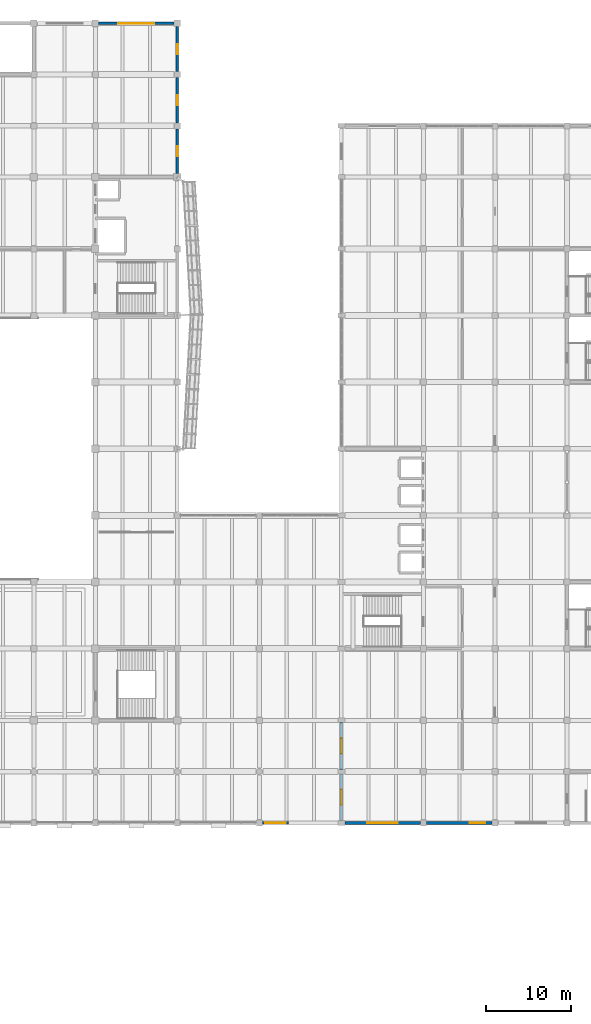
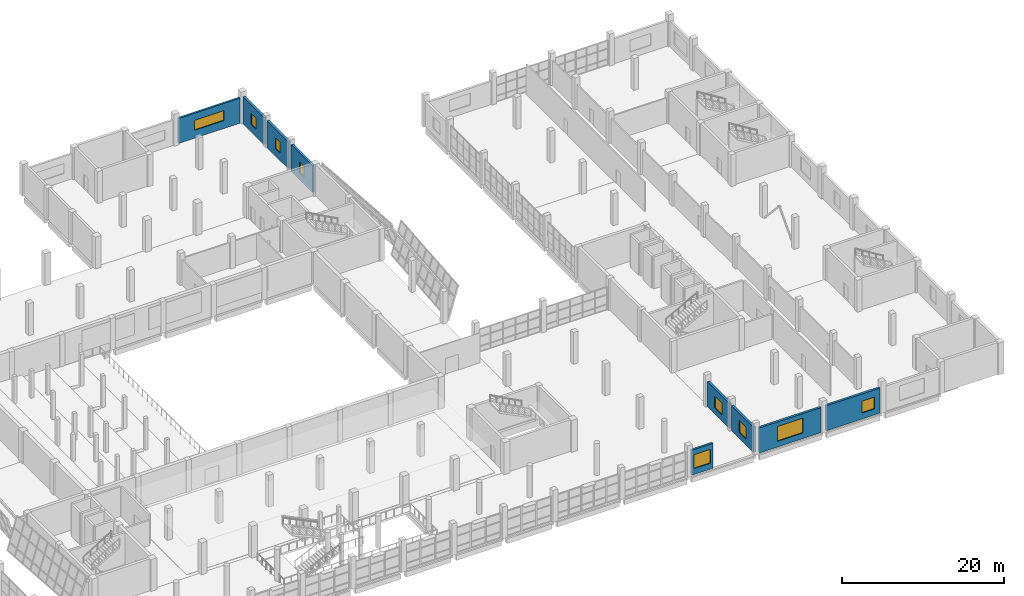
# One storey, part 83 of 91: 9 walls, 9 windows, 9 openings.
"""IFC4 building model written with IfcOpenShell, lengths in metres."""

from ifc_helpers import new_model, si_unit, direction, frame, frame_2d, origin, place, context, subcontext, project, spatial, rectangle, extrude, material, layer, layer_set, type_object, element, fill, save


model = new_model("IFC4")

# Units and contexts
model_context = context("Model", 3, precision=1e-05, world=origin(), true_north=direction((0.0, 1.0)))
body_context = subcontext(model_context, "Body", "Model", "MODEL_VIEW")
ifc_project = project(units=[si_unit("LENGTHUNIT", "METRE"), si_unit("AREAUNIT", "SQUARE_METRE"), si_unit("VOLUMEUNIT", "CUBIC_METRE"), si_unit("PLANEANGLEUNIT", "RADIAN"), si_unit("MASSUNIT", "GRAM", prefix="KILO")], contexts=[model_context])

# Site, building, storey
site_placement = place(None, origin())
site = spatial("IfcSite", under=ifc_project, at=site_placement, CompositionType="ELEMENT")
building_placement = place(site_placement, origin())
building = spatial("IfcBuilding", under=site, at=building_placement, Name="Pellamere Symphony Hall", CompositionType="ELEMENT")
storey_placement = place(building_placement, frame((0.0, 0.0, 5.39990234375)))
storey = spatial("IfcBuildingStorey", under=building, at=storey_placement, Name="L01", CompositionType="ELEMENT", Elevation=5.39990234375)

# Wall, opening, window
ifc_material_1 = material(Name="Precast concrete 40 MPa", Category="concrete")
ifc_layer_1 = layer(ifc_material_1, 0.320068359375, Name="Precast concrete 40 MPa")
ifc_layer_set_1 = layer_set([ifc_layer_1], Name="Precast concrete 40 MPa")
wall_type_1 = type_object("IfcWallType", Name="Exterior Wall EW-02 320mm", PredefinedType="SOLIDWALL", material=ifc_layer_set_1)
wall_1_placement = place(storey_placement, frame((118.800048828125, 94.02490234375, 0.0), z_axis=(0.0, 0.0, 1.0), x_axis=(0.0, 1.0, 0.0)))
wall_1 = element("IfcWall", 1, at=wall_1_placement, inside=storey, type_object=wall_type_1, Name="Exterior Wall EW-02-032 (L01)", PredefinedType="SOLIDWALL", context=body_context, shape_type="SweptSolid", body=[
    extrude(rectangle(XDim=5.22509765625, YDim=0.320068359375, at=frame_2d((2.612548828125, 0.0))), origin(), (0.0, 0.0, 1.0), 4.065673828125),
])
opening_1_placement = place(wall_1_placement, frame((2.012451171875, 0.0, 1.10009765625)))
opening_1 = element("IfcOpeningElement", 2, at=opening_1_placement, cuts=wall_1, Name="Opening W026", PredefinedType="OPENING", context=body_context, shape_type="SweptSolid", body=[
    extrude(rectangle(XDim=1.199951171875, YDim=1.64990234375, at=frame_2d((0.60009765625, 0.824951171875))), frame((0.0, 0.169921875, 0.0), z_axis=(0.0, -1.0, 0.0), x_axis=(1.0, 0.0, 0.0)), (0.0, 0.0, 1.0), 0.340087890625),
])
ifc_material_2 = material(Name="Thermally Broken Aluminium Triple-Glazed Acoustic Window", Category="aluminium")
window_type_1 = type_object("IfcWindowType", Name="Window WN-07 1200x1650", PartitioningType="SINGLE_PANEL", PredefinedType="WINDOW", material=ifc_material_2)
window_1_placement = place(opening_1_placement, origin())
window_1 = element("IfcWindow", 3, at=window_1_placement, inside=storey, type_object=window_type_1, Name="Exterior Window W026 (L01)", OverallHeight=1.64990234375, OverallWidth=1.199951171875, PartitioningType="SINGLE_PANEL", PredefinedType="WINDOW", context=body_context, shape_type="SweptSolid", body=[
    extrude(rectangle(XDim=1.199951171875, YDim=1.64990234375, at=frame_2d((0.60009765625, 0.824951171875))), frame((0.0, 0.030029296875, 0.0), z_axis=(0.0, -1.0, 0.0), x_axis=(1.0, 0.0, 0.0)), (0.0, 0.0, 1.0), 0.06005859375),
])
fill(opening_1, window_1)

wall_2_placement = place(storey_placement, frame((118.800048828125, 99.949951171875, 0.0), z_axis=(0.0, 0.0, 1.0), x_axis=(0.0, 1.0, 0.0)))
wall_2 = element("IfcWall", 4, at=wall_2_placement, inside=storey, type_object=wall_type_1, Name="Exterior Wall EW-02-034 (L01)", PredefinedType="SOLIDWALL", context=body_context, shape_type="SweptSolid", body=[
    extrude(rectangle(XDim=5.300048828125, YDim=0.320068359375, at=frame_2d((2.64990234375, 0.0))), origin(), (0.0, 0.0, 1.0), 4.065673828125),
])
opening_2_placement = place(wall_2_placement, frame((2.050048828125, 0.0, 1.10009765625)))
opening_2 = element("IfcOpeningElement", 5, at=opening_2_placement, cuts=wall_2, Name="Opening W028", PredefinedType="OPENING", context=body_context, shape_type="SweptSolid", body=[
    extrude(rectangle(XDim=1.199951171875, YDim=1.64990234375, at=frame_2d((0.60009765625, 0.824951171875))), frame((0.0, 0.169921875, 0.0), z_axis=(0.0, -1.0, 0.0), x_axis=(1.0, 0.0, 0.0)), (0.0, 0.0, 1.0), 0.340087890625),
])
window_2_placement = place(opening_2_placement, origin())
window_2 = element("IfcWindow", 6, at=window_2_placement, inside=storey, type_object=window_type_1, Name="Exterior Window W028 (L01)", OverallHeight=1.64990234375, OverallWidth=1.199951171875, PartitioningType="SINGLE_PANEL", PredefinedType="WINDOW", context=body_context, shape_type="SweptSolid", body=[
    extrude(rectangle(XDim=1.199951171875, YDim=1.64990234375, at=frame_2d((0.60009765625, 0.824951171875))), frame((0.0, 0.030029296875, 0.0), z_axis=(0.0, -1.0, 0.0), x_axis=(1.0, 0.0, 0.0)), (0.0, 0.0, 1.0), 0.06005859375),
])
fill(opening_2, window_2)

wall_3_placement = place(storey_placement, frame((118.800048828125, 105.949951171875, 0.0), z_axis=(0.0, 0.0, 1.0), x_axis=(0.0, 1.0, 0.0)))
wall_3 = element("IfcWall", 7, at=wall_3_placement, inside=storey, type_object=wall_type_1, Name="Exterior Wall EW-02-035 (L01)", PredefinedType="SOLIDWALL", context=body_context, shape_type="SweptSolid", body=[
    extrude(rectangle(XDim=5.260009765625, YDim=0.320068359375, at=frame_2d((2.6298828125, 0.0))), origin(), (0.0, 0.0, 1.0), 4.065673828125),
])
opening_3_placement = place(wall_3_placement, frame((2.030029296875, 0.0, 1.10009765625)))
opening_3 = element("IfcOpeningElement", 8, at=opening_3_placement, cuts=wall_3, Name="Opening W029", PredefinedType="OPENING", context=body_context, shape_type="SweptSolid", body=[
    extrude(rectangle(XDim=1.199951171875, YDim=1.64990234375, at=frame_2d((0.60009765625, 0.824951171875))), frame((0.0, 0.169921875, 0.0), z_axis=(0.0, -1.0, 0.0), x_axis=(1.0, 0.0, 0.0)), (0.0, 0.0, 1.0), 0.340087890625),
])
window_3_placement = place(opening_3_placement, origin())
window_3 = element("IfcWindow", 9, at=window_3_placement, inside=storey, type_object=window_type_1, Name="Exterior Window W029 (L01)", OverallHeight=1.64990234375, OverallWidth=1.199951171875, PartitioningType="SINGLE_PANEL", PredefinedType="WINDOW", context=body_context, shape_type="SweptSolid", body=[
    extrude(rectangle(XDim=1.199951171875, YDim=1.64990234375, at=frame_2d((0.60009765625, 0.824951171875))), frame((0.0, 0.030029296875, 0.0), z_axis=(0.0, -1.0, 0.0), x_axis=(1.0, 0.0, 0.0)), (0.0, 0.0, 1.0), 0.06005859375),
])
fill(opening_3, window_3)

wall_4_placement = place(storey_placement, frame((138.39990234375, 18.0, 0.0), z_axis=(0.0, 0.0, 1.0), x_axis=(1.0, 0.0, 0.0)))
wall_4 = element("IfcWall", 10, at=wall_4_placement, inside=storey, type_object=wall_type_1, Name="Exterior Wall EW-02-082 (L01)", PredefinedType="SOLIDWALL", context=body_context, shape_type="SweptSolid", body=[
    extrude(rectangle(XDim=8.85009765625, YDim=0.320068359375, at=frame_2d((4.425048828125, 0.0))), origin(), (0.0, 0.0, 1.0), 3.780029296875),
])
opening_4_placement = place(wall_4_placement, frame((2.625, 0.0, 0.85009765625)))
opening_4 = element("IfcOpeningElement", 11, at=opening_4_placement, cuts=wall_4, Name="Opening W047", PredefinedType="OPENING", context=body_context, shape_type="SweptSolid", body=[
    extrude(rectangle(XDim=3.60009765625, YDim=2.25, at=frame_2d((1.800048828125, 1.125))), frame((0.0, 0.169921875, 0.0), z_axis=(0.0, -1.0, 0.0), x_axis=(1.0, 0.0, 0.0)), (0.0, 0.0, 1.0), 0.340087890625),
])
window_type_2 = type_object("IfcWindowType", Name="Window WN-05 3600x2250", PartitioningType="TRIPLE_PANEL_VERTICAL", PredefinedType="WINDOW", material=ifc_material_2)
window_4_placement = place(opening_4_placement, origin())
window_4 = element("IfcWindow", 12, at=window_4_placement, inside=storey, type_object=window_type_2, Name="Exterior Window W047 (L01)", OverallHeight=2.25, OverallWidth=3.60009765625, PartitioningType="SINGLE_PANEL", PredefinedType="WINDOW", context=body_context, shape_type="SweptSolid", body=[
    extrude(rectangle(XDim=3.60009765625, YDim=2.25, at=frame_2d((1.800048828125, 1.125))), frame((0.0, 0.030029296875, 0.0), z_axis=(0.0, -1.0, 0.0), x_axis=(1.0, 0.0, 0.0)), (0.0, 0.0, 1.0), 0.06005859375),
])
fill(opening_4, window_4)

wall_5_placement = place(storey_placement, frame((147.949951171875, 18.0, 0.0), z_axis=(0.0, 0.0, 1.0), x_axis=(1.0, 0.0, 0.0)))
wall_5 = element("IfcWall", 13, at=wall_5_placement, inside=storey, type_object=wall_type_1, Name="Exterior Wall EW-02-083 (L01)", PredefinedType="SOLIDWALL", context=body_context, shape_type="SweptSolid", body=[
    extrude(rectangle(XDim=7.699951171875, YDim=0.320068359375, at=frame_2d((3.85009765625, 0.0))), origin(), (0.0, 0.0, 1.0), 3.780029296875),
])
opening_5_placement = place(wall_5_placement, frame((5.10595703125, 0.0, 0.89990234375)))
opening_5 = element("IfcOpeningElement", 14, at=opening_5_placement, cuts=wall_5, Name="Opening W048", PredefinedType="OPENING", context=body_context, shape_type="SweptSolid", body=[
    extrude(rectangle(XDim=1.800048828125, YDim=1.800048828125, at=frame_2d((0.89990234375, 0.89990234375))), frame((0.0, 0.169921875, 0.0), z_axis=(0.0, -1.0, 0.0), x_axis=(1.0, 0.0, 0.0)), (0.0, 0.0, 1.0), 0.340087890625),
])
window_type_3 = type_object("IfcWindowType", Name="Window WN-03 1800x1800", PartitioningType="DOUBLE_PANEL_VERTICAL", PredefinedType="WINDOW", material=ifc_material_2)
window_5_placement = place(opening_5_placement, origin())
window_5 = element("IfcWindow", 15, at=window_5_placement, inside=storey, type_object=window_type_3, Name="Exterior Window W048 (L01)", OverallHeight=1.800048828125, OverallWidth=1.800048828125, PartitioningType="SINGLE_PANEL", PredefinedType="WINDOW", context=body_context, shape_type="SweptSolid", body=[
    extrude(rectangle(XDim=1.800048828125, YDim=1.800048828125, at=frame_2d((0.89990234375, 0.89990234375))), frame((0.0, 0.030029296875, 0.0), z_axis=(0.0, -1.0, 0.0), x_axis=(1.0, 0.0, 0.0)), (0.0, 0.0, 1.0), 0.06005859375),
])
fill(opening_5, window_5)

wall_6_placement = place(storey_placement, frame((138.0, 18.27490234375, 0.0), z_axis=(0.0, 0.0, 1.0), x_axis=(0.0, 1.0, 0.0)))
wall_6 = element("IfcWall", 16, at=wall_6_placement, inside=storey, type_object=wall_type_1, Name="Exterior Wall EW-02-094 (L01)", PredefinedType="SOLIDWALL", context=body_context, shape_type="SweptSolid", body=[
    extrude(rectangle(XDim=5.4501953125, YDim=0.320068359375, at=frame_2d((2.72509765625, 0.0))), origin(), (0.0, 0.0, 1.0), 3.800048828125),
])
opening_6_placement = place(wall_6_placement, frame((1.824951171875, 0.0, 0.89990234375)))
opening_6 = element("IfcOpeningElement", 17, at=opening_6_placement, cuts=wall_6, Name="Opening W059", PredefinedType="OPENING", context=body_context, shape_type="SweptSolid", body=[
    extrude(rectangle(XDim=1.800048828125, YDim=1.800048828125, at=frame_2d((0.89990234375, 0.89990234375))), frame((0.0, 0.169921875, 0.0), z_axis=(0.0, -1.0, 0.0), x_axis=(1.0, 0.0, 0.0)), (0.0, 0.0, 1.0), 0.340087890625),
])
window_6_placement = place(opening_6_placement, origin())
window_6 = element("IfcWindow", 18, at=window_6_placement, inside=storey, type_object=window_type_3, Name="Exterior Window W059 (L01)", OverallHeight=1.800048828125, OverallWidth=1.800048828125, PartitioningType="SINGLE_PANEL", PredefinedType="WINDOW", context=body_context, shape_type="SweptSolid", body=[
    extrude(rectangle(XDim=1.800048828125, YDim=1.800048828125, at=frame_2d((0.89990234375, 0.89990234375))), frame((0.0, 0.030029296875, 0.0), z_axis=(0.0, -1.0, 0.0), x_axis=(1.0, 0.0, 0.0)), (0.0, 0.0, 1.0), 0.06005859375),
])
fill(opening_6, window_6)

wall_7_placement = place(storey_placement, frame((138.0, 24.27490234375, 0.0), z_axis=(0.0, 0.0, 1.0), x_axis=(0.0, 1.0, 0.0)))
wall_7 = element("IfcWall", 19, at=wall_7_placement, inside=storey, type_object=wall_type_1, Name="Exterior Wall EW-02-095 (L01)", PredefinedType="SOLIDWALL", context=body_context, shape_type="SweptSolid", body=[
    extrude(rectangle(XDim=5.4501953125, YDim=0.320068359375, at=frame_2d((2.72509765625, 0.0))), origin(), (0.0, 0.0, 1.0), 3.800048828125),
])
opening_7_placement = place(wall_7_placement, frame((1.824951171875, 0.0, 0.89990234375)))
opening_7 = element("IfcOpeningElement", 20, at=opening_7_placement, cuts=wall_7, Name="Opening W060", PredefinedType="OPENING", context=body_context, shape_type="SweptSolid", body=[
    extrude(rectangle(XDim=1.800048828125, YDim=1.800048828125, at=frame_2d((0.89990234375, 0.89990234375))), frame((0.0, 0.169921875, 0.0), z_axis=(0.0, -1.0, 0.0), x_axis=(1.0, 0.0, 0.0)), (0.0, 0.0, 1.0), 0.340087890625),
])
window_7_placement = place(opening_7_placement, origin())
window_7 = element("IfcWindow", 21, at=window_7_placement, inside=storey, type_object=window_type_3, Name="Exterior Window W060 (L01)", OverallHeight=1.800048828125, OverallWidth=1.800048828125, PartitioningType="SINGLE_PANEL", PredefinedType="WINDOW", context=body_context, shape_type="SweptSolid", body=[
    extrude(rectangle(XDim=1.800048828125, YDim=1.800048828125, at=frame_2d((0.89990234375, 0.89990234375))), frame((0.0, 0.030029296875, 0.0), z_axis=(0.0, -1.0, 0.0), x_axis=(1.0, 0.0, 0.0)), (0.0, 0.0, 1.0), 0.06005859375),
])
fill(opening_7, window_7)

ifc_material_3 = material(Name="Architectural Limestone-Clad Insulated Backing Assembly", Category="masonry")
ifc_layer_2 = layer(ifc_material_3, 0.280029296875, Name="Architectural Limestone-Clad Insulated Backing Assembly")
ifc_layer_set_2 = layer_set([ifc_layer_2], Name="Architectural Limestone-Clad Insulated Backing Assembly")
wall_type_2 = type_object("IfcWallType", Name="Exterior Wall EW-03 280mm", PredefinedType="SOLIDWALL", material=ifc_layer_set_2)
wall_8_placement = place(storey_placement, frame((109.590087890625, 111.60009765625, 0.0), z_axis=(0.0, 0.0, 1.0), x_axis=(1.0, 0.0, 0.0)))
wall_8 = element("IfcWall", 22, at=wall_8_placement, inside=storey, type_object=wall_type_2, Name="Exterior Wall EW-03-030 (L01)", PredefinedType="SOLIDWALL", context=body_context, shape_type="SweptSolid", body=[
    extrude(rectangle(XDim=8.81982421875, YDim=0.280029296875, at=frame_2d((4.409912109375, 0.0))), origin(), (0.0, 0.0, 1.0), 3.780029296875),
])
opening_8_placement = place(wall_8_placement, frame((2.31005859375, 0.0, 1.199951171875)))
opening_8 = element("IfcOpeningElement", 23, at=opening_8_placement, cuts=wall_8, Name="Opening W024", PredefinedType="OPENING", context=body_context, shape_type="SweptSolid", body=[
    extrude(rectangle(XDim=4.199951171875, YDim=1.5, at=frame_2d((2.10009765625, 0.75))), frame((0.0, 0.14990234375, 0.0), z_axis=(0.0, -1.0, 0.0), x_axis=(1.0, 0.0, 0.0)), (0.0, 0.0, 1.0), 0.300048828125),
])
window_type_4 = type_object("IfcWindowType", Name="Window WN-09 4200x1500", PartitioningType="TRIPLE_PANEL_HORIZONTAL", PredefinedType="WINDOW", material=ifc_material_2)
window_8_placement = place(opening_8_placement, origin())
window_8 = element("IfcWindow", 24, at=window_8_placement, inside=storey, type_object=window_type_4, Name="Exterior Window W024 (L01)", OverallHeight=1.5, OverallWidth=4.199951171875, PartitioningType="SINGLE_PANEL", PredefinedType="WINDOW", context=body_context, shape_type="SweptSolid", body=[
    extrude(rectangle(XDim=4.199951171875, YDim=1.5, at=frame_2d((2.10009765625, 0.75))), frame((0.0, 0.030029296875, 0.0), z_axis=(0.0, -1.0, 0.0), x_axis=(1.0, 0.0, 0.0)), (0.0, 0.0, 1.0), 0.06005859375),
])
fill(opening_8, window_8)

wall_9_placement = place(storey_placement, frame((128.75, 18.0, 0.0), z_axis=(0.0, 0.0, 1.0), x_axis=(1.0, 0.0, 0.0)))
wall_9 = element("IfcWall", 25, at=wall_9_placement, inside=storey, type_object=wall_type_2, Name="Exterior Wall EW-03-049 (L01)", PredefinedType="SOLIDWALL", context=body_context, shape_type="SweptSolid", body=[
    extrude(rectangle(XDim=3.050048828125, YDim=0.280029296875, at=frame_2d((1.52490234375, 0.0))), origin(), (0.0, 0.0, 1.0), 3.780029296875),
])
opening_9_placement = place(wall_9_placement, frame((0.324951171875, 0.0, 0.89990234375)))
opening_9 = element("IfcOpeningElement", 26, at=opening_9_placement, cuts=wall_9, Name="Opening W030", PredefinedType="OPENING", context=body_context, shape_type="SweptSolid", body=[
    extrude(rectangle(XDim=2.39990234375, YDim=2.10009765625, at=frame_2d((1.199951171875, 1.050048828125))), frame((0.0, 0.14990234375, 0.0), z_axis=(0.0, -1.0, 0.0), x_axis=(1.0, 0.0, 0.0)), (0.0, 0.0, 1.0), 0.300048828125),
])
window_type_5 = type_object("IfcWindowType", Name="Window WN-02 2400x2100", PartitioningType="DOUBLE_PANEL_VERTICAL", PredefinedType="WINDOW", material=ifc_material_2)
window_9_placement = place(opening_9_placement, origin())
window_9 = element("IfcWindow", 27, at=window_9_placement, inside=storey, type_object=window_type_5, Name="Exterior Window W030 (L01)", OverallHeight=2.10009765625, OverallWidth=2.39990234375, PartitioningType="SINGLE_PANEL", PredefinedType="WINDOW", context=body_context, shape_type="SweptSolid", body=[
    extrude(rectangle(XDim=2.39990234375, YDim=2.10009765625, at=frame_2d((1.199951171875, 1.050048828125))), frame((0.0, 0.030029296875, 0.0), z_axis=(0.0, -1.0, 0.0), x_axis=(1.0, 0.0, 0.0)), (0.0, 0.0, 1.0), 0.06005859375),
])
fill(opening_9, window_9)

save(model, "model.ifc")
